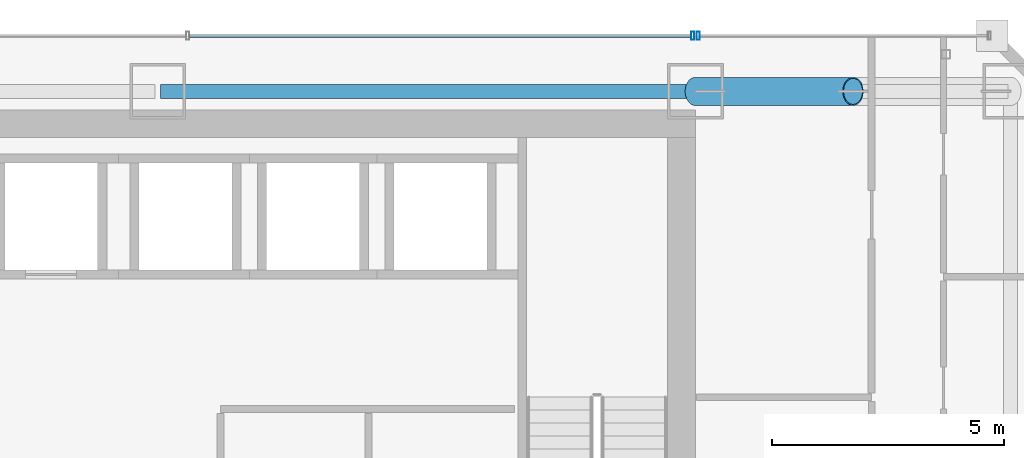
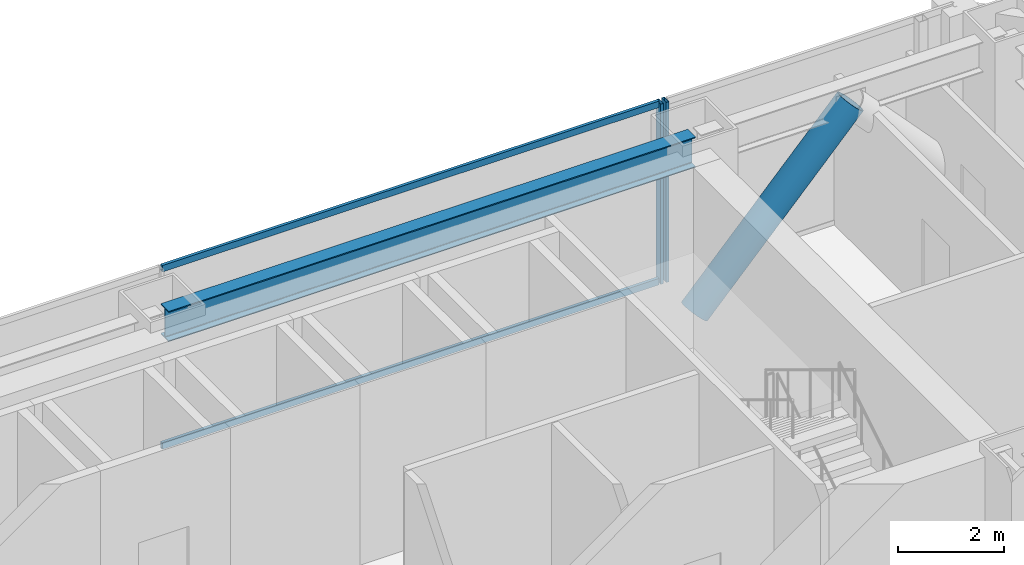
# One storey, part 32 of 47: 5 members, 1 beam, 2 elements without a shape of their own.
"""IFC4 building model written with IfcOpenShell, lengths in metres."""

from ifc_helpers import new_model, si_unit, direction, frame, origin, origin_2d, place, context, subcontext, project, spatial, hollow_rectangle, hollow_circle, i_section, extrude, material, material_profile, profile_set, type_object, element, aggregate, save


model = new_model("IFC4")

# Units and contexts
model_context = context("Model", 3, precision=1e-05, world=origin(), true_north=direction((0.0, 1.0)))
body_context = subcontext(model_context, "Body", "Model", "MODEL_VIEW")
ifc_project = project(units=[si_unit("LENGTHUNIT", "METRE"), si_unit("AREAUNIT", "SQUARE_METRE"), si_unit("VOLUMEUNIT", "CUBIC_METRE"), si_unit("PLANEANGLEUNIT", "RADIAN"), si_unit("MASSUNIT", "GRAM", prefix="KILO")], contexts=[model_context])

# Site, building, storey
site_placement = place(None, origin())
site = spatial("IfcSite", under=ifc_project, at=site_placement, CompositionType="ELEMENT")
building_placement = place(site_placement, origin())
building = spatial("IfcBuilding", under=site, at=building_placement, Name="Saevonmaru Cultural Tower", CompositionType="ELEMENT")
storey_placement = place(building_placement, frame((0.0, 0.0, 64.800048828125)))
storey = spatial("IfcBuildingStorey", under=building, at=storey_placement, Name="L13", CompositionType="ELEMENT", Elevation=64.800048828125)

# Beam
ifc_material_1 = material(Name="Steel SM355", Category="steel")
ifc_material_profile_1 = material_profile(ifc_material_1, i_section(OverallWidth=0.300048828125, OverallDepth=0.699951171875, WebThickness=0.012939453125, FlangeThickness=0.02392578125, FilletRadius=0.02587890625, at=origin_2d()), Name="H-700x300x13x24")
ifc_profile_set_1 = profile_set([ifc_material_profile_1], Name="Steel SM355")
beam_type = type_object("IfcBeamType", Name="BM-SP-H700", PredefinedType="SPANDREL", material=ifc_profile_set_1)
beam_placement = place(storey_placement, frame((34.860107421875, 54.800048828125, 3.800048828125), z_axis=(1.0, 0.0, 0.0), x_axis=(0.0, 1.0, 0.0)))
element("IfcBeam", 1, at=beam_placement, inside=storey, type_object=beam_type, Name="L13 North Spine Girder 4", PredefinedType="SPANDREL", context=body_context, shape_type="SweptSolid", body=[
    extrude(i_section(OverallWidth=0.300048828125, OverallDepth=0.699951171875, WebThickness=0.012939453125, FlangeThickness=0.02392578125, FilletRadius=0.02587890625, at=origin_2d()), origin(), (0.0, 0.0, 1.0), 11.47998046875),
])

# Member
ifc_material_2 = material(Name="Steel HSA600 (600 MPa)", Category="steel")
ifc_material_profile_2 = material_profile(ifc_material_2, hollow_circle(Radius=0.3046875, WallThickness=0.02490234375, at=origin_2d()), Name="CHS-609.6x25")
ifc_profile_set_2 = profile_set([ifc_material_profile_2], Name="Steel HSA600 (600 MPa)")
member_type_1 = type_object("IfcMemberType", Name="MB-PBR-CHS610", PredefinedType="BRACE", material=ifc_profile_set_2)
member_1_placement = place(storey_placement, frame((46.39990234375, 54.800048828125, 0.02001953125), z_axis=(0.681629141635, 0.0, 0.731697829212), x_axis=(0.0, 1.0, 0.0)))
element("IfcMember", 2, at=member_1_placement, inside=storey, type_object=member_type_1, Name="L13 Perimeter Braced-Tube Diagonal EN1", PredefinedType="BRACE", context=body_context, shape_type="SweptSolid", body=[
    extrude(hollow_circle(Radius=0.3046875, WallThickness=0.02490234375, at=origin_2d()), origin(), (0.0, 0.0, 1.0), 4.98828125),
])

# Curtain wall, member
ifc_material_3 = material(Name="Satin Bronze Anodised Aluminium", Category="aluminium")
curtain_wall_type = type_object("IfcCurtainWallType", Name="CW-TYP-A", PredefinedType="NOTDEFINED", material=ifc_material_3)
curtain_wall_1_placement = place(storey_placement, origin())
curtain_wall_1 = element("IfcCurtainWall", 3, at=curtain_wall_1_placement, inside=storey, type_object=curtain_wall_type, Name="L13 East Braced Bay Spandrel Curtain Wall E10A", PredefinedType="NOTDEFINED")
ifc_material_profile_3 = material_profile(ifc_material_3, hollow_rectangle(XDim=0.06494140625, YDim=0.179931640625, WallThickness=0.00390625, at=origin_2d()), Name="ALU-MULL-180x65x4")
ifc_profile_set_3 = profile_set([ifc_material_profile_3], Name="Satin Bronze Anodised Aluminium")
member_type_2 = type_object("IfcMemberType", Name="ML-CW-180x65", PredefinedType="MULLION", material=ifc_profile_set_3)
member_2_placement = place(storey_placement, frame((46.4599609375, 56.0, 0.0), z_axis=(0.0, 0.0, 1.0), x_axis=(-1.0, 0.0, 0.0)))
member_2 = element("IfcMember", 4, at=member_2_placement, type_object=member_type_2, Name="CW-TW-L13-E10A mullion 2", PredefinedType="MULLION", context=body_context, shape_type="SweptSolid", body=[
    extrude(hollow_rectangle(XDim=0.06494140625, YDim=0.179931640625, WallThickness=0.00390625, at=origin_2d()), origin(), (0.0, 0.0, 1.0), 4.14990234375),
])
aggregate(curtain_wall_1, [member_2])

# Curtain wall, members
curtain_wall_2_placement = place(storey_placement, origin())
curtain_wall_2 = element("IfcCurtainWall", 5, at=curtain_wall_2_placement, inside=storey, type_object=curtain_wall_type, Name="L13 North Spine Unitised Curtain Wall E10B", PredefinedType="NOTDEFINED")
member_3_placement = place(storey_placement, frame((46.340087890625, 56.0, 0.0), z_axis=(0.0, 0.0, 1.0), x_axis=(-1.0, 0.0, 0.0)))
member_3 = element("IfcMember", 6, at=member_3_placement, type_object=member_type_2, Name="CW-TW-L13-E10B mullion 1", PredefinedType="MULLION", context=body_context, shape_type="SweptSolid", body=[
    extrude(hollow_rectangle(XDim=0.06494140625, YDim=0.179931640625, WallThickness=0.00390625, at=origin_2d()), origin(), (0.0, 0.0, 1.0), 4.14990234375),
])
ifc_material_profile_4 = material_profile(ifc_material_3, hollow_rectangle(XDim=0.06494140625, YDim=0.14990234375, WallThickness=0.00390625, at=origin_2d()), Name="ALU-TRAN-150x65x4")
ifc_profile_set_4 = profile_set([ifc_material_profile_4], Name="Satin Bronze Anodised Aluminium")
member_type_3 = type_object("IfcMemberType", Name="TR-CW-150x65", PredefinedType="USERDEFINED", material=ifc_profile_set_4)
member_4_placement = place(storey_placement, frame((46.3076171875, 56.0, 0.032470703125), z_axis=(-1.0, 0.0, 0.0), x_axis=(0.0, -1.0, 0.0)))
member_4 = element("IfcMember", 7, at=member_4_placement, type_object=member_type_3, Name="CW-TW-L13-E10B transom 1.1", ObjectType="TRANSOM", PredefinedType="USERDEFINED", context=body_context, shape_type="SweptSolid", body=[
    extrude(hollow_rectangle(XDim=0.06494140625, YDim=0.14990234375, WallThickness=0.00390625, at=origin_2d()), origin(), (0.0, 0.0, 1.0), 10.828369140625),
])
member_5_placement = place(storey_placement, frame((46.3076171875, 56.0, 4.117431640625), z_axis=(-1.0, 0.0, 0.0), x_axis=(0.0, -1.0, 0.0)))
member_5 = element("IfcMember", 8, at=member_5_placement, type_object=member_type_3, Name="CW-TW-L13-E10B transom 1.2", ObjectType="TRANSOM", PredefinedType="USERDEFINED", context=body_context, shape_type="SweptSolid", body=[
    extrude(hollow_rectangle(XDim=0.06494140625, YDim=0.14990234375, WallThickness=0.00390625, at=origin_2d()), origin(), (0.0, 0.0, 1.0), 10.828369140625),
])
aggregate(curtain_wall_2, [member_3, member_4, member_5])

save(model, "model.ifc")
